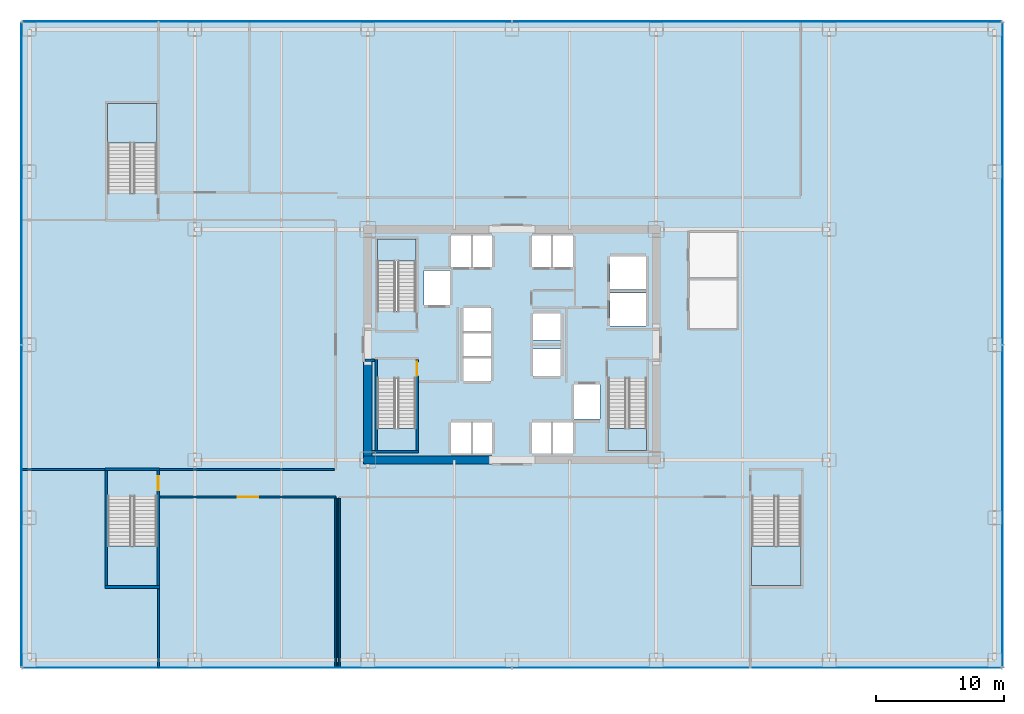
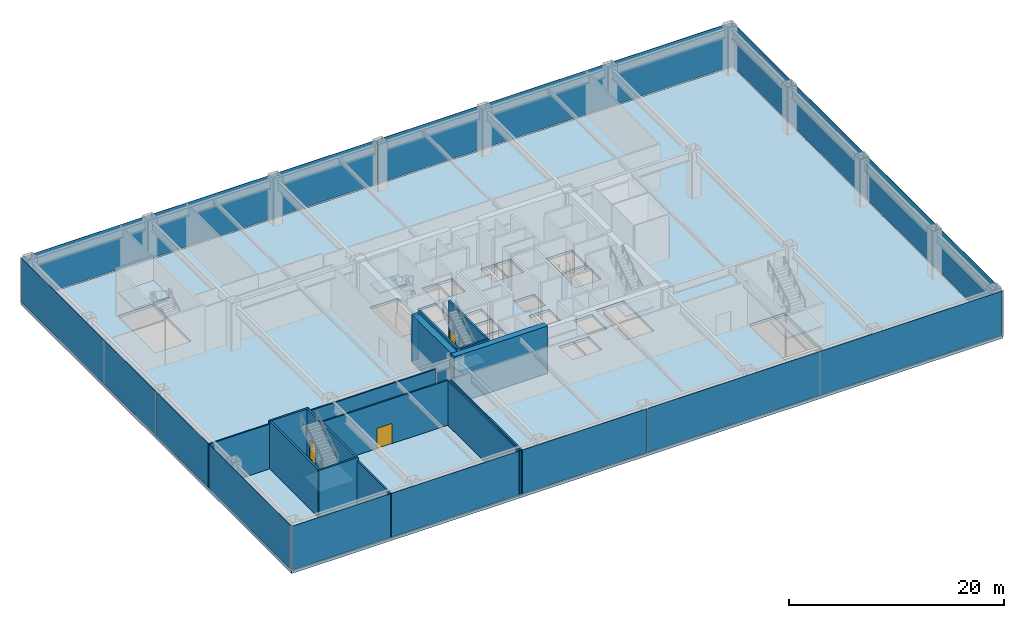
# One storey, part 16 of 24: 16 walls, 8 plates, 7 slabs, 3 doors, 3 openings, 10 elements without a shape of their own.
"""IFC4 building model written with IfcOpenShell, lengths in metres."""

from ifc_helpers import new_model, si_unit, direction, frame, frame_2d, origin, origin_2d, place, context, subcontext, project, spatial, polyline, rectangle, outline, extrude, source, transform, mapped, material, layer, layer_set, type_object, element, fill, aggregate, save


model = new_model("IFC4")

# Units and contexts
model_context = context("Model", 3, precision=1e-05, world=origin(), true_north=direction((0.0, 1.0)))
body_context = subcontext(model_context, "Body", "Model", "MODEL_VIEW")
ifc_project = project(units=[si_unit("LENGTHUNIT", "METRE"), si_unit("AREAUNIT", "SQUARE_METRE"), si_unit("VOLUMEUNIT", "CUBIC_METRE"), si_unit("PLANEANGLEUNIT", "RADIAN"), si_unit("MASSUNIT", "GRAM", prefix="KILO")], contexts=[model_context])

# Site, building, storey
site_placement = place(None, origin())
site = spatial("IfcSite", under=ifc_project, at=site_placement, CompositionType="ELEMENT")
building_placement = place(site_placement, origin())
building = spatial("IfcBuilding", under=site, at=building_placement, Name="Nefas-Gora Pilgrimage Tower", CompositionType="ELEMENT")
storey_placement = place(building_placement, frame((0.0, 0.0, 11.39990234375)))
storey = spatial("IfcBuildingStorey", under=building, at=storey_placement, Name="L02", CompositionType="ELEMENT", Elevation=11.39990234375)

# Slab
ifc_material_1 = material(Name="Concrete C45/55", Category="concrete")
ifc_layer_1 = layer(ifc_material_1, 0.300048828125)
ifc_layer_set_1 = layer_set([ifc_layer_1], Name="Concrete C45/55")
slab_type_1 = type_object("IfcSlabType", Name="SLB-POD-300", PredefinedType="FLOOR", material=ifc_layer_set_1)
slab_1_placement = place(storey_placement, frame((0.0, 0.0, -0.2998046875)))
element("IfcSlab", 1, at=slab_1_placement, inside=storey, type_object=slab_type_1, Name="L02 Structural Floor Slab", PredefinedType="FLOOR", context=body_context, shape_type="SweptSolid", body=[
    extrude(outline(polyline([(38.25, -25.199951171875), (38.25, 25.199951171875), (-38.25, 25.199951171875), (-38.25, -25.199951171875), (38.25, -25.199951171875)]), holes=[polyline([(-10.5, 2.639892578125), (-10.5, 8.25), (-7.5, 8.25), (-7.5, 2.639892578125), (-10.5, 2.639892578125)]), polyline([(10.5, -2.639892578125), (10.5, -8.25), (7.5, -8.25), (7.5, -2.639892578125), (10.5, -2.639892578125)]), polyline([(-7.5, -2.639892578125), (-7.5, -8.25), (-10.5, -8.25), (-10.5, -2.639892578125), (-7.5, -2.639892578125)]), polyline([(-31.5400390625, 11.840087890625), (-31.5400390625, 18.800048828125), (-27.699951171875, 18.800048828125), (-27.699951171875, 11.840087890625), (-31.5400390625, 11.840087890625)]), polyline([(-27.699951171875, -11.840087890625), (-27.699951171875, -18.800048828125), (-31.5400390625, -18.800048828125), (-31.5400390625, -11.840087890625), (-27.699951171875, -11.840087890625)]), polyline([(22.5400390625, -11.840087890625), (22.5400390625, -18.800048828125), (18.699951171875, -18.800048828125), (18.699951171875, -11.840087890625), (22.5400390625, -11.840087890625)]), polyline([(-6.85009765625, 5.800048828125), (-4.85009765625, 5.800048828125), (-4.85009765625, 3.10009765625), (-6.85009765625, 3.10009765625), (-6.85009765625, 5.800048828125)]), polyline([(4.85009765625, -3.10009765625), (6.85009765625, -3.10009765625), (6.85009765625, -5.800048828125), (4.85009765625, -5.800048828125), (4.85009765625, -3.10009765625)]), polyline([(7.64990234375, 4.050048828125), (10.449951171875, 4.050048828125), (10.449951171875, 1.449951171875), (7.64990234375, 1.449951171875), (7.64990234375, 4.050048828125)]), polyline([(7.64990234375, 6.89990234375), (10.449951171875, 6.89990234375), (10.449951171875, 4.300048828125), (7.64990234375, 4.300048828125), (7.64990234375, 6.89990234375)]), polyline([(-4.75, 8.5), (-3.14990234375, 8.5), (-3.14990234375, 6.050048828125), (-4.75, 6.050048828125), (-4.75, 8.5)]), polyline([(-3.10009765625, 8.5), (-1.550048828125, 8.5), (-1.550048828125, 6.050048828125), (-3.10009765625, 6.050048828125), (-3.10009765625, 8.5)]), polyline([(1.550048828125, 8.5), (3.10009765625, 8.5), (3.10009765625, 6.050048828125), (1.550048828125, 6.050048828125), (1.550048828125, 8.5)]), polyline([(3.14990234375, 8.5), (4.75, 8.5), (4.75, 6.050048828125), (3.14990234375, 6.050048828125), (3.14990234375, 8.5)]), polyline([(-4.75, -6.050048828125), (-3.14990234375, -6.050048828125), (-3.14990234375, -8.5), (-4.75, -8.5), (-4.75, -6.050048828125)]), polyline([(-3.10009765625, -6.050048828125), (-1.550048828125, -6.050048828125), (-1.550048828125, -8.5), (-3.10009765625, -8.5), (-3.10009765625, -6.050048828125)]), polyline([(1.550048828125, -6.050048828125), (3.10009765625, -6.050048828125), (3.10009765625, -8.5), (1.550048828125, -8.5), (1.550048828125, -6.050048828125)]), polyline([(3.14990234375, -6.050048828125), (4.75, -6.050048828125), (4.75, -8.5), (3.14990234375, -8.5), (3.14990234375, -6.050048828125)]), polyline([(-3.800048828125, -1.050048828125), (-1.64990234375, -1.050048828125), (-1.64990234375, -2.85009765625), (-3.800048828125, -2.85009765625), (-3.800048828125, -1.050048828125)]), polyline([(-3.800048828125, 0.89990234375), (-1.64990234375, 0.89990234375), (-1.64990234375, -0.89990234375), (-3.800048828125, -0.89990234375), (-3.800048828125, 0.89990234375)]), polyline([(-3.800048828125, 2.85009765625), (-1.64990234375, 2.85009765625), (-1.64990234375, 1.050048828125), (-3.800048828125, 1.050048828125), (-3.800048828125, 2.85009765625)]), polyline([(1.64990234375, -0.35009765625), (3.800048828125, -0.35009765625), (3.800048828125, -2.449951171875), (1.64990234375, -2.449951171875), (1.64990234375, -0.35009765625)]), polyline([(1.64990234375, 2.449951171875), (3.800048828125, 2.449951171875), (3.800048828125, 0.35009765625), (1.64990234375, 0.35009765625), (1.64990234375, 2.449951171875)])]), origin(), (0.0, 0.0, 1.0), 0.2998046875),
])

# Stair, slab
stair_type_1 = type_object("IfcStairType", Name="STR-1400-R1800", PredefinedType="HALF_TURN_STAIR", material=ifc_material_1)
stair_1_placement = place(storey_placement, origin())
stair_1 = element("IfcStair", 2, at=stair_1_placement, inside=storey, type_object=stair_type_1, Name="L02 Pressurised Tower Exit Stair ST-01", PredefinedType="HALF_TURN_STAIR")
ifc_material_2 = material(Name="Concrete C40/50", Category="concrete")
ifc_layer_2 = layer(ifc_material_2, 0.199951171875)
ifc_layer_set_2 = layer_set([ifc_layer_2], Name="Concrete C40/50")
slab_type_2 = type_object("IfcSlabType", Name="STR-LAND-200", PredefinedType="LANDING", material=ifc_layer_set_2)
slab_2_placement = place(storey_placement, frame((0.0, 0.0, 2.5)))
slab_2 = element("IfcSlab", 3, at=slab_2_placement, type_object=slab_type_2, Name="ST-01 landing 1", PredefinedType="LANDING", context=body_context, shape_type="SweptSolid", body=[
    extrude(outline(polyline([(-7.5, 6.52001953125), (-7.5, 8.25), (-10.5, 8.25), (-10.5, 6.52001953125), (-7.5, 6.52001953125)])), origin(), (0.0, 0.0, 1.0), 0.2001953125),
])
aggregate(stair_1, [slab_2])

stair_2_placement = place(storey_placement, origin())
stair_2 = element("IfcStair", 4, at=stair_2_placement, inside=storey, type_object=stair_type_1, Name="L02 Pressurised Tower Exit Stair ST-02", PredefinedType="HALF_TURN_STAIR")
slab_3_placement = place(storey_placement, frame((0.0, 0.0, 2.5)))
slab_3 = element("IfcSlab", 5, at=slab_3_placement, type_object=slab_type_2, Name="ST-02 landing 1", PredefinedType="LANDING", context=body_context, shape_type="SweptSolid", body=[
    extrude(outline(polyline([(7.5, -6.52001953125), (7.5, -8.25), (10.5, -8.25), (10.5, -6.52001953125), (7.5, -6.52001953125)])), origin(), (0.0, 0.0, 1.0), 0.2001953125),
])
aggregate(stair_2, [slab_3])

stair_3_placement = place(storey_placement, origin())
stair_3 = element("IfcStair", 6, at=stair_3_placement, inside=storey, type_object=stair_type_1, Name="L02 Pressurised Tower Exit Stair ST-03", PredefinedType="HALF_TURN_STAIR")
slab_4_placement = place(storey_placement, frame((0.0, 0.0, 2.5)))
slab_4 = element("IfcSlab", 7, at=slab_4_placement, type_object=slab_type_2, Name="ST-03 landing 1", PredefinedType="LANDING", context=body_context, shape_type="SweptSolid", body=[
    extrude(outline(polyline([(-10.5, -6.52001953125), (-10.5, -8.25), (-7.5, -8.25), (-7.5, -6.52001953125), (-10.5, -6.52001953125)])), origin(), (0.0, 0.0, 1.0), 0.2001953125),
])
aggregate(stair_3, [slab_4])

stair_type_2 = type_object("IfcStairType", Name="STR-1820-R1800", PredefinedType="HALF_TURN_STAIR", material=ifc_material_1)
stair_4_placement = place(storey_placement, origin())
stair_4 = element("IfcStair", 8, at=stair_4_placement, inside=storey, type_object=stair_type_2, Name="L02 Podium Exit Stair ST-04", PredefinedType="HALF_TURN_STAIR")
slab_5_placement = place(storey_placement, frame((0.0, 0.0, 2.5)))
slab_5 = element("IfcSlab", 9, at=slab_5_placement, type_object=slab_type_2, Name="ST-04 landing 1", PredefinedType="LANDING", context=body_context, shape_type="SweptSolid", body=[
    extrude(outline(polyline([(-27.699951171875, 15.719970703125), (-27.699951171875, 18.800048828125), (-31.5400390625, 18.800048828125), (-31.5400390625, 15.719970703125), (-27.699951171875, 15.719970703125)])), origin(), (0.0, 0.0, 1.0), 0.2001953125),
])
aggregate(stair_4, [slab_5])

stair_5_placement = place(storey_placement, origin())
stair_5 = element("IfcStair", 10, at=stair_5_placement, inside=storey, type_object=stair_type_2, Name="L02 Podium Exit Stair ST-05", PredefinedType="HALF_TURN_STAIR")
slab_6_placement = place(storey_placement, frame((0.0, 0.0, 2.5)))
slab_6 = element("IfcSlab", 11, at=slab_6_placement, type_object=slab_type_2, Name="ST-05 landing 1", PredefinedType="LANDING", context=body_context, shape_type="SweptSolid", body=[
    extrude(outline(polyline([(-31.5400390625, -15.719970703125), (-31.5400390625, -18.800048828125), (-27.699951171875, -18.800048828125), (-27.699951171875, -15.719970703125), (-31.5400390625, -15.719970703125)])), origin(), (0.0, 0.0, 1.0), 0.2001953125),
])
aggregate(stair_5, [slab_6])

stair_6_placement = place(storey_placement, origin())
stair_6 = element("IfcStair", 12, at=stair_6_placement, inside=storey, type_object=stair_type_2, Name="L02 Podium Exit Stair ST-06", PredefinedType="HALF_TURN_STAIR")
slab_7_placement = place(storey_placement, frame((0.0, 0.0, 2.5)))
slab_7 = element("IfcSlab", 13, at=slab_7_placement, type_object=slab_type_2, Name="ST-06 landing 1", PredefinedType="LANDING", context=body_context, shape_type="SweptSolid", body=[
    extrude(outline(polyline([(18.699951171875, -15.719970703125), (18.699951171875, -18.800048828125), (22.5400390625, -18.800048828125), (22.5400390625, -15.719970703125), (18.699951171875, -15.719970703125)])), origin(), (0.0, 0.0, 1.0), 0.2001953125),
])
aggregate(stair_6, [slab_7])

# Curtain wall, plates
ifc_material_3 = material(Name="Dark ceramic-fritted solar-control aluminium-glass curtain wall", Category="aluminium")
ifc_layer_3 = layer(ifc_material_3, 0.219970703125)
ifc_layer_set_3 = layer_set([ifc_layer_3], Name="Dark ceramic-fritted solar-control aluminium-glass curtain wall")
curtain_wall_type = type_object("IfcCurtainWallType", Name="CW-SYS-1", PredefinedType="NOTDEFINED", material=ifc_layer_set_3)
curtain_wall_1_placement = place(storey_placement, origin())
curtain_wall_1 = element("IfcCurtainWall", 14, at=curtain_wall_1_placement, inside=storey, type_object=curtain_wall_type, Name="L02 Unitised Curtain Wall CW1", PredefinedType="NOTDEFINED")
ifc_material_4 = material(Name="Dark ceramic-printed low-e insulated glass", Category="glass")
ifc_layer_4 = layer(ifc_material_4, 0.035888671875)
ifc_layer_set_4 = layer_set([ifc_layer_4], Name="Dark ceramic-printed low-e insulated glass")
plate_type = type_object("IfcPlateType", Name="CWP-PNL-1", PredefinedType="CURTAIN_PANEL", material=ifc_layer_set_4)
shared_shape_1 = source(origin(), body_context, "Body", "SweptSolid", [
    extrude(rectangle(XDim=25.06494140625, YDim=0.035888671875, at=origin_2d()), origin(), (0.0, 0.0, 1.0), 4.989990234375),
])
plate_1_placement = place(storey_placement, frame((38.25, -12.577392578125, 0.10009765625), z_axis=(0.0, 0.0, 1.0), x_axis=(0.0, 1.0, 0.0)))
plate_1 = element("IfcPlate", 15, at=plate_1_placement, type_object=plate_type, Name="CW1 Ceramic-Fritted Glazing Panel 1", PredefinedType="CURTAIN_PANEL", context=body_context, shape_type="MappedRepresentation", body=[
    mapped(shared_shape_1, transform((0.0, 0.0, 0.0), x_axis=(1.0, 0.0, 0.0), y_axis=(0.0, 1.0, 0.0), z_axis=(0.0, 0.0, 1.0), scale=1.0)),
])
plate_2_placement = place(storey_placement, frame((38.25, 12.577392578125, 0.10009765625), z_axis=(0.0, 0.0, 1.0), x_axis=(0.0, 1.0, 0.0)))
plate_2 = element("IfcPlate", 16, at=plate_2_placement, type_object=plate_type, Name="CW1 Ceramic-Fritted Glazing Panel 2", PredefinedType="CURTAIN_PANEL", context=body_context, shape_type="MappedRepresentation", body=[
    mapped(shared_shape_1, transform((0.0, 0.0, 0.0), x_axis=(1.0, 0.0, 0.0), y_axis=(0.0, 1.0, 0.0), z_axis=(0.0, 0.0, 1.0), scale=1.0)),
])
aggregate(curtain_wall_1, [plate_1, plate_2])

curtain_wall_2_placement = place(storey_placement, origin())
curtain_wall_2 = element("IfcCurtainWall", 17, at=curtain_wall_2_placement, inside=storey, type_object=curtain_wall_type, Name="L02 Unitised Curtain Wall CW1", PredefinedType="NOTDEFINED")
plate_3_placement = place(storey_placement, frame((-38.25, 12.577392578125, 0.10009765625), z_axis=(0.0, 0.0, 1.0), x_axis=(0.0, -1.0, 0.0)))
plate_3 = element("IfcPlate", 18, at=plate_3_placement, type_object=plate_type, Name="CW1 Ceramic-Fritted Glazing Panel 1", PredefinedType="CURTAIN_PANEL", context=body_context, shape_type="MappedRepresentation", body=[
    mapped(shared_shape_1, transform((0.0, 0.0, 0.0), x_axis=(1.0, 0.0, 0.0), y_axis=(0.0, 1.0, 0.0), z_axis=(0.0, 0.0, 1.0), scale=1.0)),
])
plate_4_placement = place(storey_placement, frame((-38.25, -12.577392578125, 0.10009765625), z_axis=(0.0, 0.0, 1.0), x_axis=(0.0, -1.0, 0.0)))
plate_4 = element("IfcPlate", 19, at=plate_4_placement, type_object=plate_type, Name="CW1 Ceramic-Fritted Glazing Panel 2", PredefinedType="CURTAIN_PANEL", context=body_context, shape_type="MappedRepresentation", body=[
    mapped(shared_shape_1, transform((0.0, 0.0, 0.0), x_axis=(1.0, 0.0, 0.0), y_axis=(0.0, 1.0, 0.0), z_axis=(0.0, 0.0, 1.0), scale=1.0)),
])
aggregate(curtain_wall_2, [plate_3, plate_4])

curtain_wall_3_placement = place(storey_placement, origin())
curtain_wall_3 = element("IfcCurtainWall", 20, at=curtain_wall_3_placement, inside=storey, type_object=curtain_wall_type, Name="L02 Unitised Curtain Wall CW1", PredefinedType="NOTDEFINED")
shared_shape_2 = source(origin(), body_context, "Body", "SweptSolid", [
    extrude(rectangle(XDim=38.114990234375, YDim=0.035888671875, at=origin_2d()), origin(), (0.0, 0.0, 1.0), 4.989990234375),
])
plate_5_placement = place(storey_placement, frame((19.1025390625, 25.199951171875, 0.10009765625), z_axis=(0.0, 0.0, 1.0), x_axis=(-1.0, 0.0, 0.0)))
plate_5 = element("IfcPlate", 21, at=plate_5_placement, type_object=plate_type, Name="CW1 Ceramic-Fritted Glazing Panel 1", PredefinedType="CURTAIN_PANEL", context=body_context, shape_type="MappedRepresentation", body=[
    mapped(shared_shape_2, transform((0.0, 0.0, 0.0), x_axis=(1.0, 0.0, 0.0), y_axis=(0.0, 1.0, 0.0), z_axis=(0.0, 0.0, 1.0), scale=1.0)),
])
plate_6_placement = place(storey_placement, frame((-19.1025390625, 25.199951171875, 0.10009765625), z_axis=(0.0, 0.0, 1.0), x_axis=(-1.0, 0.0, 0.0)))
plate_6 = element("IfcPlate", 22, at=plate_6_placement, type_object=plate_type, Name="CW1 Ceramic-Fritted Glazing Panel 2", PredefinedType="CURTAIN_PANEL", context=body_context, shape_type="MappedRepresentation", body=[
    mapped(shared_shape_2, transform((0.0, 0.0, 0.0), x_axis=(1.0, 0.0, 0.0), y_axis=(0.0, 1.0, 0.0), z_axis=(0.0, 0.0, 1.0), scale=1.0)),
])
aggregate(curtain_wall_3, [plate_5, plate_6])

curtain_wall_4_placement = place(storey_placement, origin())
curtain_wall_4 = element("IfcCurtainWall", 23, at=curtain_wall_4_placement, inside=storey, type_object=curtain_wall_type, Name="L02 Unitised Curtain Wall CW1", PredefinedType="NOTDEFINED")
plate_7_placement = place(storey_placement, frame((-19.1025390625, -25.199951171875, 0.10009765625), z_axis=(0.0, 0.0, 1.0), x_axis=(1.0, 0.0, 0.0)))
plate_7 = element("IfcPlate", 24, at=plate_7_placement, type_object=plate_type, Name="CW1 Ceramic-Fritted Glazing Panel 1", PredefinedType="CURTAIN_PANEL", context=body_context, shape_type="MappedRepresentation", body=[
    mapped(shared_shape_2, transform((0.0, 0.0, 0.0), x_axis=(1.0, 0.0, 0.0), y_axis=(0.0, 1.0, 0.0), z_axis=(0.0, 0.0, 1.0), scale=1.0)),
])
plate_8_placement = place(storey_placement, frame((19.1025390625, -25.199951171875, 0.10009765625), z_axis=(0.0, 0.0, 1.0), x_axis=(1.0, 0.0, 0.0)))
plate_8 = element("IfcPlate", 25, at=plate_8_placement, type_object=plate_type, Name="CW1 Ceramic-Fritted Glazing Panel 2", PredefinedType="CURTAIN_PANEL", context=body_context, shape_type="MappedRepresentation", body=[
    mapped(shared_shape_2, transform((0.0, 0.0, 0.0), x_axis=(1.0, 0.0, 0.0), y_axis=(0.0, 1.0, 0.0), z_axis=(0.0, 0.0, 1.0), scale=1.0)),
])
aggregate(curtain_wall_4, [plate_7, plate_8])

# Walls
ifc_material_5 = material(Name="Concrete C60/75", Category="concrete")
ifc_layer_5 = layer(ifc_material_5, 0.64990234375)
ifc_layer_set_5 = layer_set([ifc_layer_5], Name="Concrete C60/75")
wall_type_1 = type_object("IfcWallType", Name="SW-CORE-650", PredefinedType="SHEAR", material=ifc_layer_set_5)
shared_shape_3 = source(origin(), body_context, "Body", "SweptSolid", [
    extrude(rectangle(XDim=10.02490234375, YDim=0.64990234375, at=frame_2d((5.012451171875, 0.0))), origin(), (0.0, 0.0, 1.0), 5.400146484375),
])
wall_1_placement = place(storey_placement, frame((-11.574951171875, -9.0, 0.0), z_axis=(0.0, 0.0, 1.0), x_axis=(1.0, 0.0, 0.0)))
element("IfcWall", 26, at=wall_1_placement, inside=storey, type_object=wall_type_1, Name="L02 Core Shear Wall S-West", PredefinedType="SHEAR", context=body_context, shape_type="MappedRepresentation", body=[
    mapped(shared_shape_3, transform((0.0, 0.0, 0.0), x_axis=(1.0, 0.0, 0.0), y_axis=(0.0, 1.0, 0.0), z_axis=(0.0, 0.0, 1.0), scale=1.0)),
])
shared_shape_4 = source(origin(), body_context, "Body", "SweptSolid", [
    extrude(rectangle(XDim=7.324951171875, YDim=0.64990234375, at=frame_2d((3.66259765625, 0.0))), origin(), (0.0, 0.0, 1.0), 5.400146484375),
])
wall_2_placement = place(storey_placement, frame((-11.25, -8.675048828125, 0.0), z_axis=(0.0, 0.0, 1.0), x_axis=(0.0, 1.0, 0.0)))
element("IfcWall", 27, at=wall_2_placement, inside=storey, type_object=wall_type_1, Name="L02 Core Shear Wall W-South", PredefinedType="SHEAR", context=body_context, shape_type="MappedRepresentation", body=[
    mapped(shared_shape_4, transform((0.0, 0.0, 0.0), x_axis=(1.0, 0.0, 0.0), y_axis=(0.0, 1.0, 0.0), z_axis=(0.0, 0.0, 1.0), scale=1.0)),
])
ifc_layer_6 = layer(ifc_material_1, 0.199951171875)
ifc_layer_set_6 = layer_set([ifc_layer_6], Name="Concrete C45/55")
wall_type_2 = type_object("IfcWallType", Name="IW-STAIR-200", PredefinedType="SOLIDWALL", material=ifc_layer_set_6)
shared_shape_5 = source(origin(), body_context, "Body", "SweptSolid", [
    extrude(rectangle(XDim=3.6298828125, YDim=0.199951171875, at=frame_2d((1.81494140625, 0.0))), origin(), (0.0, 0.0, 1.0), 5.400146484375),
])
wall_3_placement = place(storey_placement, frame((-10.929931640625, -8.35009765625, 0.0), z_axis=(0.0, 0.0, 1.0), x_axis=(1.0, 0.0, 0.0)))
element("IfcWall", 28, at=wall_3_placement, inside=storey, type_object=wall_type_2, Name="L02 Stairwell Shear Wall ST-03-far", PredefinedType="SOLIDWALL", context=body_context, shape_type="MappedRepresentation", body=[
    mapped(shared_shape_5, transform((0.0, 0.0, 0.0), x_axis=(1.0, 0.0, 0.0), y_axis=(0.0, 1.0, 0.0), z_axis=(0.0, 0.0, 1.0), scale=1.0)),
])
shared_shape_6 = source(origin(), body_context, "Body", "SweptSolid", [
    extrude(rectangle(XDim=7.10009765625, YDim=0.199951171875, at=frame_2d((3.550048828125, 0.0))), origin(), (0.0, 0.0, 1.0), 5.400146484375),
])
wall_4_placement = place(storey_placement, frame((-10.60009765625, -1.14990234375, 0.0), z_axis=(0.0, 0.0, 1.0), x_axis=(0.0, -1.0, 0.0)))
element("IfcWall", 29, at=wall_4_placement, inside=storey, type_object=wall_type_2, Name="L02 Stairwell Shear Wall ST-03-left", PredefinedType="SOLIDWALL", context=body_context, shape_type="MappedRepresentation", body=[
    mapped(shared_shape_6, transform((0.0, 0.0, 0.0), x_axis=(1.0, 0.0, 0.0), y_axis=(0.0, 1.0, 0.0), z_axis=(0.0, 0.0, 1.0), scale=1.0)),
])

# Wall, opening, door
wall_5_placement = place(storey_placement, frame((-7.39990234375, -1.14990234375, 0.0), z_axis=(0.0, 0.0, 1.0), x_axis=(0.0, -1.0, 0.0)))
wall_5 = element("IfcWall", 30, at=wall_5_placement, inside=storey, type_object=wall_type_2, Name="L02 Stairwell Shear Wall ST-03-right", PredefinedType="SOLIDWALL", context=body_context, shape_type="MappedRepresentation", body=[
    mapped(shared_shape_6, transform((0.0, 0.0, 0.0), x_axis=(1.0, 0.0, 0.0), y_axis=(0.0, 1.0, 0.0), z_axis=(0.0, 0.0, 1.0), scale=1.0)),
])
opening_1_placement = place(wall_5_placement, frame((0.179931640625, 0.0, 0.0)))
opening_1 = element("IfcOpeningElement", 31, at=opening_1_placement, cuts=wall_5, Name="Opening ID-ST1", PredefinedType="OPENING", context=body_context, shape_type="SweptSolid", body=[
    extrude(rectangle(XDim=1.10009765625, YDim=2.14990234375, at=frame_2d((0.550048828125, 1.074951171875))), frame((0.0, 0.10986328125, 0.0), z_axis=(0.0, -1.0, 0.0), x_axis=(1.0, 0.0, 0.0)), (0.0, 0.0, 1.0), 0.219970703125),
])
ifc_material_6 = material(Name="Painted galvanised steel fire stair door", Category="steel")
door_type_1 = type_object("IfcDoorType", Name="DR-INT-STAIR-1100", OperationType="NOTDEFINED", PredefinedType="DOOR", material=ifc_material_6)
shared_shape_7 = source(origin(), body_context, "Body", "SweptSolid", [
    extrude(rectangle(XDim=1.10009765625, YDim=2.14990234375, at=frame_2d((0.550048828125, 1.074951171875))), frame((0.0, 0.02490234375, 0.0), z_axis=(0.0, -1.0, 0.0), x_axis=(1.0, 0.0, 0.0)), (0.0, 0.0, 1.0), 0.050048828125),
])
door_1_placement = place(opening_1_placement, origin())
door_1 = element("IfcDoor", 32, at=door_1_placement, inside=storey, type_object=door_type_1, Name="L02 Protected Exit Stair Door ST-03", OperationType="SINGLE_SWING_RIGHT", OverallHeight=2.14990234375, OverallWidth=1.10009765625, PredefinedType="DOOR", context=body_context, shape_type="MappedRepresentation", body=[
    mapped(shared_shape_7, transform((0.0, 0.0, 0.0), x_axis=(1.0, 0.0, 0.0), y_axis=(0.0, 1.0, 0.0), z_axis=(0.0, 0.0, 1.0), scale=1.0)),
])
fill(opening_1, door_1)

# Walls
shared_shape_8 = source(origin(), body_context, "Body", "SweptSolid", [
    extrude(rectangle(XDim=4.239990234375, YDim=0.199951171875, at=frame_2d((2.1201171875, 0.0))), origin(), (0.0, 0.0, 1.0), 5.400146484375),
])
for number, where, z_axis, x_axis, name in (
    (33, (-31.739990234375, -9.699951171875, 0.0), (0.0, 0.0, 1.0), (1.0, 0.0, 0.0), "L02 Stairwell Shear Wall ST-05-near"),
    (34, (-31.739990234375, -18.89990234375, 0.0), (0.0, 0.0, 1.0), (1.0, 0.0, 0.0), "L02 Stairwell Shear Wall ST-05-far"),
):
    element("IfcWall", number, at=place(storey_placement, frame(where, z_axis=z_axis, x_axis=x_axis)), inside=storey, type_object=wall_type_2, Name=name, PredefinedType="SOLIDWALL", context=body_context, shape_type="MappedRepresentation", body=[
        mapped(shared_shape_8, transform((0.0, 0.0, 0.0), x_axis=(1.0, 0.0, 0.0), y_axis=(0.0, 1.0, 0.0), z_axis=(0.0, 0.0, 1.0), scale=1.0)),
    ])
shared_shape_9 = source(origin(), body_context, "Body", "SweptSolid", [
    extrude(rectangle(XDim=9.0, YDim=0.199951171875, at=frame_2d((4.5, 0.0))), origin(), (0.0, 0.0, 1.0), 5.400146484375),
])
wall_6_placement = place(storey_placement, frame((-31.639892578125, -9.800048828125, 0.0), z_axis=(0.0, 0.0, 1.0), x_axis=(0.0, -1.0, 0.0)))
element("IfcWall", 35, at=wall_6_placement, inside=storey, type_object=wall_type_2, Name="L02 Stairwell Shear Wall ST-05-left", PredefinedType="SOLIDWALL", context=body_context, shape_type="MappedRepresentation", body=[
    mapped(shared_shape_9, transform((0.0, 0.0, 0.0), x_axis=(1.0, 0.0, 0.0), y_axis=(0.0, 1.0, 0.0), z_axis=(0.0, 0.0, 1.0), scale=1.0)),
])

# Wall, opening, door
wall_7_placement = place(storey_placement, frame((-27.60009765625, -9.800048828125, 0.0), z_axis=(0.0, 0.0, 1.0), x_axis=(0.0, -1.0, 0.0)))
wall_7 = element("IfcWall", 36, at=wall_7_placement, inside=storey, type_object=wall_type_2, Name="L02 Stairwell Shear Wall ST-05-right", PredefinedType="SOLIDWALL", context=body_context, shape_type="MappedRepresentation", body=[
    mapped(shared_shape_9, transform((0.0, 0.0, 0.0), x_axis=(1.0, 0.0, 0.0), y_axis=(0.0, 1.0, 0.0), z_axis=(0.0, 0.0, 1.0), scale=1.0)),
])
opening_2_placement = place(wall_7_placement, frame((0.449951171875, 0.0, 0.0)))
opening_2 = element("IfcOpeningElement", 37, at=opening_2_placement, cuts=wall_7, Name="Opening ID-ST1", PredefinedType="OPENING", context=body_context, shape_type="SweptSolid", body=[
    extrude(rectangle(XDim=1.10009765625, YDim=2.14990234375, at=frame_2d((0.550048828125, 1.074951171875))), frame((0.0, 0.10986328125, 0.0), z_axis=(0.0, -1.0, 0.0), x_axis=(1.0, 0.0, 0.0)), (0.0, 0.0, 1.0), 0.219970703125),
])
door_2_placement = place(opening_2_placement, origin())
door_2 = element("IfcDoor", 38, at=door_2_placement, inside=storey, type_object=door_type_1, Name="L02 Protected Exit Stair Door ST-05", OperationType="SINGLE_SWING_RIGHT", OverallHeight=2.14990234375, OverallWidth=1.10009765625, PredefinedType="DOOR", context=body_context, shape_type="MappedRepresentation", body=[
    mapped(shared_shape_7, transform((0.0, 0.0, 0.0), x_axis=(1.0, 0.0, 0.0), y_axis=(0.0, 1.0, 0.0), z_axis=(0.0, 0.0, 1.0), scale=1.0)),
])
fill(opening_2, door_2)

# Walls
ifc_material_7 = material(Name="Gypsum fire-rated shaftwall")
ifc_layer_7 = layer(ifc_material_7, 0.199951171875)
ifc_layer_set_7 = layer_set([ifc_layer_7], Name="Gypsum fire-rated shaftwall")
wall_type_3 = type_object("IfcWallType", Name="IW-FFLOB-200", PredefinedType="PARTITIONING", material=ifc_layer_set_7)
shared_shape_10 = source(origin(), body_context, "Body", "SweptSolid", [
    extrude(rectangle(XDim=0.719970703125, YDim=0.199951171875, at=frame_2d((0.35986328125, 0.0))), origin(), (0.0, 0.0, 1.0), 5.085205078125),
])
wall_8_placement = place(storey_placement, frame((-11.4599609375, -1.219970703125, 0.0), z_axis=(0.0, 0.0, 1.0), x_axis=(1.0, 0.0, 0.0)))
element("IfcWall", 39, at=wall_8_placement, inside=storey, type_object=wall_type_3, Name="L02 FF Lobby West Throat S Wall 7", PredefinedType="PARTITIONING", context=body_context, shape_type="MappedRepresentation", body=[
    mapped(shared_shape_10, transform((0.0, 0.0, 0.0), x_axis=(1.0, 0.0, 0.0), y_axis=(0.0, 1.0, 0.0), z_axis=(0.0, 0.0, 1.0), scale=1.0)),
])
ifc_material_8 = material(Name="Gypsum twin-stud partition")
ifc_layer_8 = layer(ifc_material_8, 0.139892578125)
ifc_layer_set_8 = layer_set([ifc_layer_8], Name="Gypsum twin-stud partition")
wall_type_4 = type_object("IfcWallType", Name="IW-UNIT-140", PredefinedType="PARTITIONING", material=ifc_layer_set_8)
shared_shape_11 = source(origin(), body_context, "Body", "SweptSolid", [
    extrude(rectangle(XDim=6.52490234375, YDim=0.139892578125, at=frame_2d((3.262451171875, 0.0))), origin(), (0.0, 0.0, 1.0), 5.085205078125),
])
wall_9_placement = place(storey_placement, frame((-38.27001953125, -9.72998046875, 0.0), z_axis=(0.0, 0.0, 1.0), x_axis=(1.0, 0.0, 0.0)))
element("IfcWall", 40, at=wall_9_placement, inside=storey, type_object=wall_type_4, Name="L02 Congregational Prayer Hall West Partition Wall 27", PredefinedType="PARTITIONING", context=body_context, shape_type="MappedRepresentation", body=[
    mapped(shared_shape_11, transform((0.0, 0.0, 0.0), x_axis=(1.0, 0.0, 0.0), y_axis=(0.0, 1.0, 0.0), z_axis=(0.0, 0.0, 1.0), scale=1.0)),
])
shared_shape_12 = source(origin(), body_context, "Body", "SweptSolid", [
    extrude(rectangle(XDim=13.625, YDim=0.139892578125, at=frame_2d((6.8125, 0.0))), origin(), (0.0, 0.0, 1.0), 5.085205078125),
])
wall_10_placement = place(storey_placement, frame((-27.4951171875, -9.72998046875, 0.0), z_axis=(0.0, 0.0, 1.0), x_axis=(1.0, 0.0, 0.0)))
element("IfcWall", 41, at=wall_10_placement, inside=storey, type_object=wall_type_4, Name="L02 Congregational Prayer Hall West Partition Wall 28", PredefinedType="PARTITIONING", context=body_context, shape_type="MappedRepresentation", body=[
    mapped(shared_shape_12, transform((0.0, 0.0, 0.0), x_axis=(1.0, 0.0, 0.0), y_axis=(0.0, 1.0, 0.0), z_axis=(0.0, 0.0, 1.0), scale=1.0)),
])
shared_shape_13 = source(origin(), body_context, "Body", "SweptSolid", [
    extrude(rectangle(XDim=6.179931640625, YDim=0.139892578125, at=frame_2d((3.08984375, 0.0))), origin(), (0.0, 0.0, 1.0), 5.085205078125),
])
wall_11_placement = place(storey_placement, frame((-27.580078125, -25.219970703125, 0.0), z_axis=(0.0, 0.0, 1.0), x_axis=(0.0, 1.0, 0.0)))
element("IfcWall", 42, at=wall_11_placement, inside=storey, type_object=wall_type_4, Name="L02 Highland Fellowship Hall Partition Wall 39", PredefinedType="PARTITIONING", context=body_context, shape_type="MappedRepresentation", body=[
    mapped(shared_shape_13, transform((0.0, 0.0, 0.0), x_axis=(1.0, 0.0, 0.0), y_axis=(0.0, 1.0, 0.0), z_axis=(0.0, 0.0, 1.0), scale=1.0)),
])
shared_shape_14 = source(origin(), body_context, "Body", "SweptSolid", [
    extrude(rectangle(XDim=13.22998046875, YDim=0.139892578125, at=frame_2d((6.614990234375, 0.0))), origin(), (0.0, 0.0, 1.0), 5.085205078125),
])
for number, where, z_axis, x_axis, name in (
    (43, (-13.75, -25.219970703125, 0.0), (0.0, 0.0, 1.0), (0.0, 1.0, 0.0), "L02 Highland Fellowship Hall Partition Wall 38"),
    (44, (-13.47998046875, -25.219970703125, 0.0), (0.0, 0.0, 1.0), (0.0, 1.0, 0.0), "L02 Pilgrim Orientation Hall Partition Wall 42"),
):
    element("IfcWall", number, at=place(storey_placement, frame(where, z_axis=z_axis, x_axis=x_axis)), inside=storey, type_object=wall_type_4, Name=name, PredefinedType="PARTITIONING", context=body_context, shape_type="MappedRepresentation", body=[
        mapped(shared_shape_14, transform((0.0, 0.0, 0.0), x_axis=(1.0, 0.0, 0.0), y_axis=(0.0, 1.0, 0.0), z_axis=(0.0, 0.0, 1.0), scale=1.0)),
    ])

# Wall, opening, door
ifc_material_9 = material(Name="Gypsum acoustic stud partition")
ifc_layer_9 = layer(ifc_material_9, 0.159912109375)
ifc_layer_set_9 = layer_set([ifc_layer_9], Name="Gypsum acoustic stud partition")
wall_type_5 = type_object("IfcWallType", Name="IW-CORR-160", PredefinedType="PARTITIONING", material=ifc_layer_set_9)
shared_shape_15 = source(origin(), body_context, "Body", "SweptSolid", [
    extrude(rectangle(XDim=13.719970703125, YDim=0.159912109375, at=frame_2d((6.85986328125, 0.0))), origin(), (0.0, 0.0, 1.0), 5.085205078125),
])
wall_12_placement = place(storey_placement, frame((-27.4599609375, -11.8701171875, 0.0), z_axis=(0.0, 0.0, 1.0), x_axis=(1.0, 0.0, 0.0)))
wall_12 = element("IfcWall", 45, at=wall_12_placement, inside=storey, type_object=wall_type_5, Name="L02 Highland Fellowship Hall Partition Wall 37", PredefinedType="PARTITIONING", context=body_context, shape_type="MappedRepresentation", body=[
    mapped(shared_shape_15, transform((0.0, 0.0, 0.0), x_axis=(1.0, 0.0, 0.0), y_axis=(0.0, 1.0, 0.0), z_axis=(0.0, 0.0, 1.0), scale=1.0)),
])
opening_3_placement = place(wall_12_placement, frame((6.06005859375, 0.0, 0.0)))
opening_3 = element("IfcOpeningElement", 46, at=opening_3_placement, cuts=wall_12, Name="Opening ID-HL1", PredefinedType="OPENING", context=body_context, shape_type="SweptSolid", body=[
    extrude(rectangle(XDim=1.60009765625, YDim=2.300048828125, at=frame_2d((0.800048828125, 1.14990234375))), frame((0.0, 0.08984375, 0.0), z_axis=(0.0, -1.0, 0.0), x_axis=(1.0, 0.0, 0.0)), (0.0, 0.0, 1.0), 0.179931640625),
])
ifc_material_10 = material(Name="Double acoustic timber assembly hall door", Category="wood")
door_type_2 = type_object("IfcDoorType", Name="DR-INT-HALL-1600", OperationType="DOUBLE_DOOR_SINGLE_SWING", PredefinedType="DOOR", material=ifc_material_10)
shared_shape_16 = source(origin(), body_context, "Body", "SweptSolid", [
    extrude(rectangle(XDim=1.60009765625, YDim=2.300048828125, at=frame_2d((0.800048828125, 1.14990234375))), frame((0.0, 0.02490234375, 0.0), z_axis=(0.0, -1.0, 0.0), x_axis=(1.0, 0.0, 0.0)), (0.0, 0.0, 1.0), 0.050048828125),
])
door_3_placement = place(opening_3_placement, origin())
door_3 = element("IfcDoor", 47, at=door_3_placement, inside=storey, type_object=door_type_2, Name="L02 Highland Fellowship Hall Door 12", OperationType="DOUBLE_DOOR_SINGLE_SWING", OverallHeight=2.300048828125, OverallWidth=1.60009765625, PredefinedType="DOOR", context=body_context, shape_type="MappedRepresentation", body=[
    mapped(shared_shape_16, transform((0.0, 0.0, 0.0), x_axis=(1.0, 0.0, 0.0), y_axis=(0.0, 1.0, 0.0), z_axis=(0.0, 0.0, 1.0), scale=1.0)),
])
fill(opening_3, door_3)

save(model, "model.ifc")
